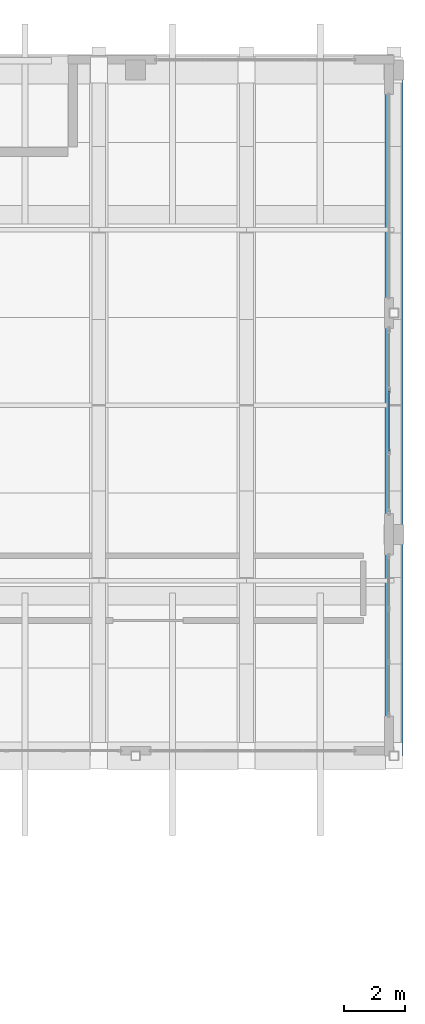
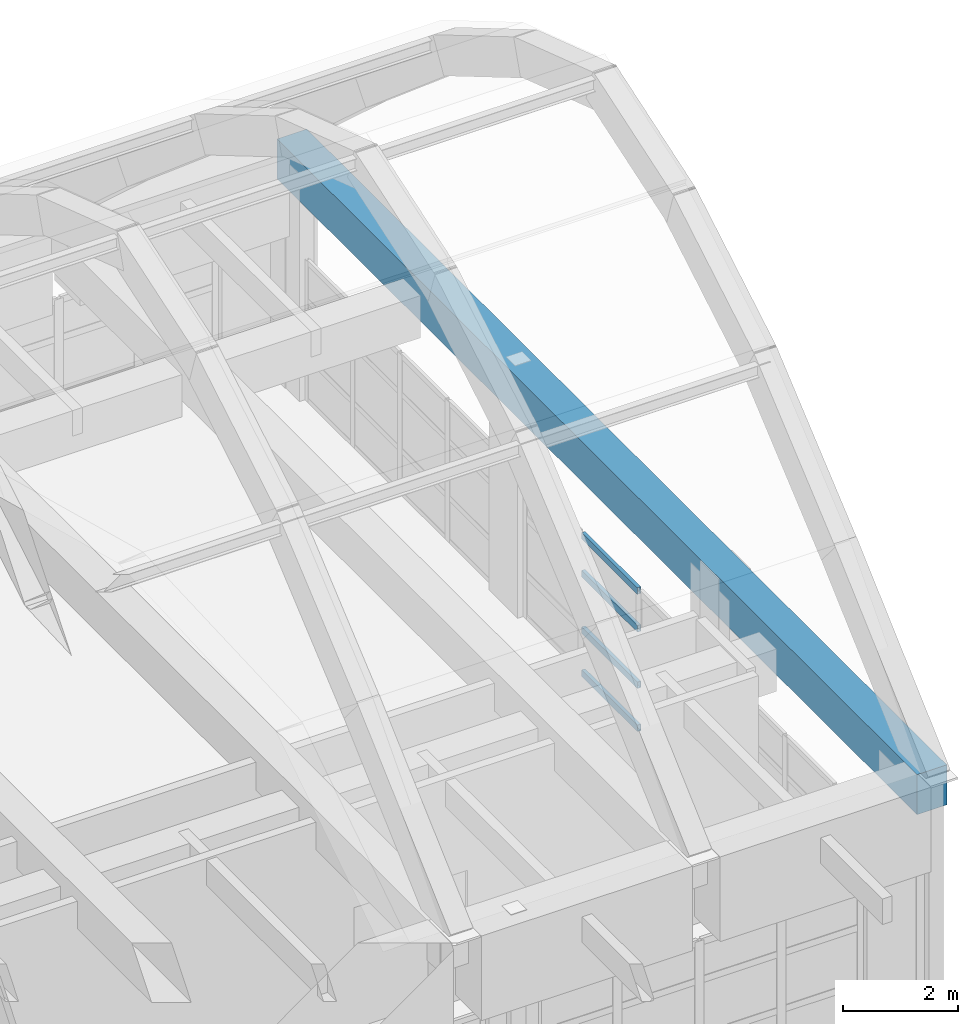
# One storey, part 49 of 78: 4 members, 1 beam, 1 element without a shape of its own.
"""IFC4 building model written with IfcOpenShell, lengths in metres."""

from ifc_helpers import new_model, si_unit, direction, frame, origin, origin_2d, place, context, subcontext, project, spatial, rectangle, hollow_rectangle, extrude, material, layer, layer_set, material_profile, profile_set, type_object, element, aggregate, save


model = new_model("IFC4")

# Units and contexts
model_context = context("Model", 3, precision=1e-05, world=origin(), true_north=direction((0.0, 1.0)))
body_context = subcontext(model_context, "Body", "Model", "MODEL_VIEW")
ifc_project = project(units=[si_unit("LENGTHUNIT", "METRE"), si_unit("AREAUNIT", "SQUARE_METRE"), si_unit("VOLUMEUNIT", "CUBIC_METRE"), si_unit("PLANEANGLEUNIT", "RADIAN"), si_unit("MASSUNIT", "GRAM", prefix="KILO")], contexts=[model_context])

# Site, building, storey
site_placement = place(None, origin())
site = spatial("IfcSite", under=ifc_project, at=site_placement, CompositionType="ELEMENT")
building_placement = place(site_placement, origin())
building = spatial("IfcBuilding", under=site, at=building_placement, Name="Quendrovan Civic Courthouse", CompositionType="ELEMENT")
storey_placement = place(building_placement, frame((0.0, 0.0, 20.39990234375)))
storey = spatial("IfcBuildingStorey", under=building, at=storey_placement, Name="L05", CompositionType="ELEMENT", Elevation=20.39990234375)

# Beam
ifc_material_1 = material(Name="Post-tensioned concrete C50/60", Category="concrete")
ifc_material_profile_1 = material_profile(ifc_material_1, rectangle(XDim=0.60009765625, YDim=0.85009765625, at=origin_2d()), Name="PT-TIE-600x850")
ifc_profile_set_1 = profile_set([ifc_material_profile_1], Name="Post-tensioned concrete C50/60")
beam_type = type_object("IfcBeamType", Name="BM-PTTIE850", PredefinedType="BEAM", material=ifc_profile_set_1)
beam_placement = place(storey_placement, frame((142.800048828125, 87.60009765625, 4.675048828125), z_axis=(0.0, 1.0, 0.0), x_axis=(-1.0, 0.0, 0.0)))
element("IfcBeam", 1, at=beam_placement, inside=storey, type_object=beam_type, Name="BV1 Vault Post-Tensioned Tie Beam A8", PredefinedType="BEAM", context=body_context, shape_type="SweptSolid", body=[
    extrude(rectangle(XDim=0.60009765625, YDim=0.85009765625, at=origin_2d()), origin(), (0.0, 0.0, 1.0), 22.2998046875),
])

# Curtain wall, members
ifc_material_2 = material(Name="Bronze anodised aluminium and low-E glass", Category="aluminium")
ifc_layer = layer(ifc_material_2, 0.179931640625, Name="Bronze anodised aluminium and low-E glass")
ifc_layer_set = layer_set([ifc_layer], Name="Bronze anodised aluminium and low-E glass")
curtain_wall_type = type_object("IfcCurtainWallType", Name="CW-U60x30", PredefinedType="USERDEFINED", material=ifc_layer_set)
curtain_wall_placement = place(storey_placement, origin())
curtain_wall = element("IfcCurtainWall", 2, at=curtain_wall_placement, inside=storey, type_object=curtain_wall_type, Name="L05 Unitised Hurricane Curtain Wall CW-196", ObjectType="UNITISED CURTAIN WALL", PredefinedType="USERDEFINED")
ifc_material_3 = material(Name="Bronze anodised aluminium", Category="aluminium")
ifc_material_profile_2 = material_profile(ifc_material_3, hollow_rectangle(XDim=0.070068359375, YDim=0.139892578125, WallThickness=0.00390625, at=origin_2d()), Name="CW-TRAN-70x140")
ifc_profile_set_2 = profile_set([ifc_material_profile_2], Name="Bronze anodised aluminium")
member_type = type_object("IfcMemberType", Name="CW-TRAN-A", PredefinedType="USERDEFINED", material=ifc_profile_set_2)
member_1_placement = place(storey_placement, frame((142.635009765625, 99.456787109375, 0.03515625), z_axis=(0.0, -1.0, 0.0), x_axis=(1.0, 0.0, 0.0)))
member_1 = element("IfcMember", 3, at=member_1_placement, type_object=member_type, Name="CW-196 transom 2.1", ObjectType="TRANSOM", PredefinedType="USERDEFINED", context=body_context, shape_type="SweptSolid", body=[
    extrude(hollow_rectangle(XDim=0.070068359375, YDim=0.139892578125, WallThickness=0.00390625, at=origin_2d()), origin(), (0.0, 0.0, 1.0), 1.9384765625),
])
member_2_placement = place(storey_placement, frame((142.635009765625, 99.456787109375, 0.9501953125), z_axis=(0.0, -1.0, 0.0), x_axis=(1.0, 0.0, 0.0)))
member_2 = element("IfcMember", 4, at=member_2_placement, type_object=member_type, Name="CW-196 transom 2.2", ObjectType="TRANSOM", PredefinedType="USERDEFINED", context=body_context, shape_type="SweptSolid", body=[
    extrude(hollow_rectangle(XDim=0.070068359375, YDim=0.139892578125, WallThickness=0.00390625, at=origin_2d()), origin(), (0.0, 0.0, 1.0), 1.9384765625),
])
member_3_placement = place(storey_placement, frame((142.635009765625, 99.456787109375, 2.150146484375), z_axis=(0.0, -1.0, 0.0), x_axis=(1.0, 0.0, 0.0)))
member_3 = element("IfcMember", 5, at=member_3_placement, type_object=member_type, Name="CW-196 transom 2.3", ObjectType="TRANSOM", PredefinedType="USERDEFINED", context=body_context, shape_type="SweptSolid", body=[
    extrude(hollow_rectangle(XDim=0.070068359375, YDim=0.139892578125, WallThickness=0.00390625, at=origin_2d()), origin(), (0.0, 0.0, 1.0), 1.9384765625),
])
member_4_placement = place(storey_placement, frame((142.635009765625, 99.456787109375, 2.955078125), z_axis=(0.0, -1.0, 0.0), x_axis=(1.0, 0.0, 0.0)))
member_4 = element("IfcMember", 6, at=member_4_placement, type_object=member_type, Name="CW-196 transom 2.4", ObjectType="TRANSOM", PredefinedType="USERDEFINED", context=body_context, shape_type="SweptSolid", body=[
    extrude(hollow_rectangle(XDim=0.070068359375, YDim=0.139892578125, WallThickness=0.00390625, at=origin_2d()), origin(), (0.0, 0.0, 1.0), 1.9384765625),
])
aggregate(curtain_wall, [member_1, member_2, member_3, member_4])

save(model, "model.ifc")
